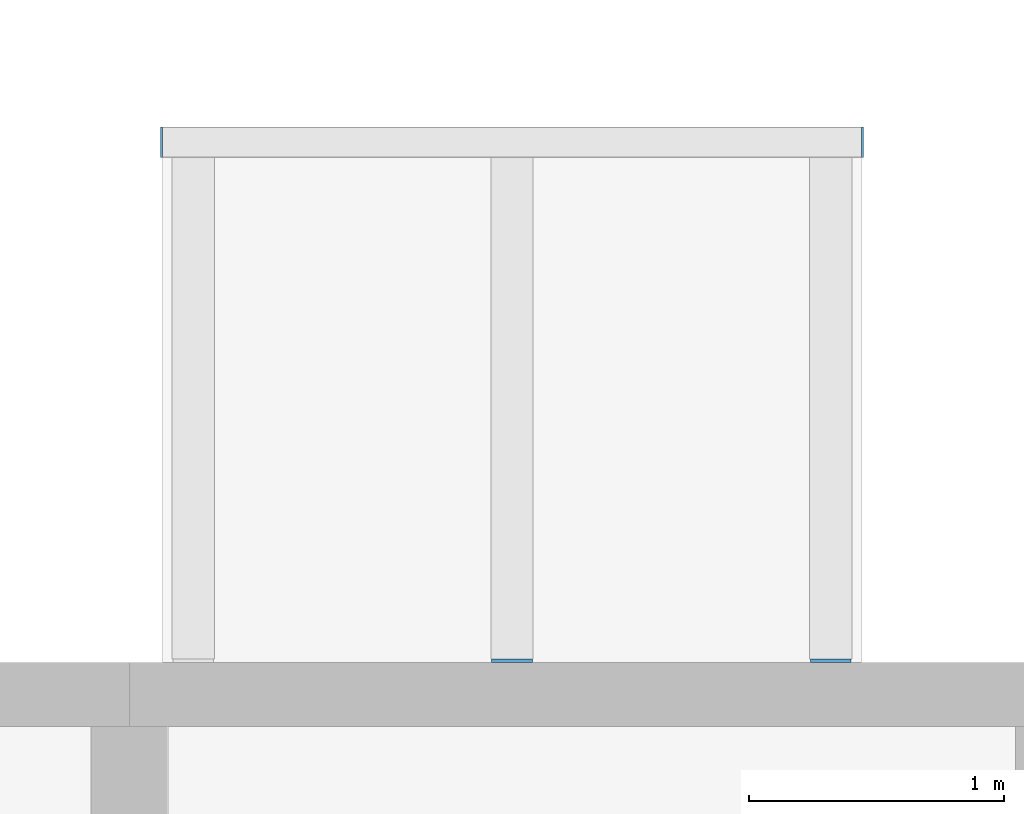
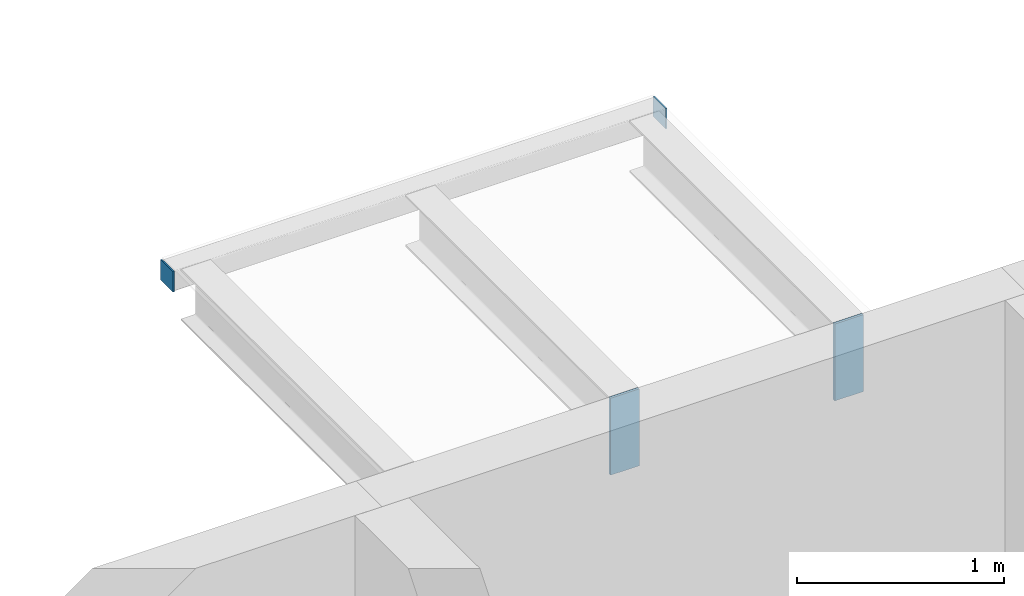
# One storey, part 97 of 122: 4 discrete accessories.
"""IFC4 building model written with IfcOpenShell, lengths in metres."""

from ifc_helpers import new_model, si_unit, direction, frame, origin, origin_2d, place, context, subcontext, project, spatial, rectangle, extrude, material, layer, layer_set, type_object, element, save


model = new_model("IFC4")

# Units and contexts
model_context = context("Model", 3, precision=1e-05, world=origin(), true_north=direction((0.0, 1.0)))
body_context = subcontext(model_context, "Body", "Model", "MODEL_VIEW")
ifc_project = project(units=[si_unit("LENGTHUNIT", "METRE"), si_unit("AREAUNIT", "SQUARE_METRE"), si_unit("VOLUMEUNIT", "CUBIC_METRE"), si_unit("PLANEANGLEUNIT", "RADIAN"), si_unit("MASSUNIT", "GRAM", prefix="KILO")], contexts=[model_context])

# Site, building, storey
site_placement = place(None, origin())
site = spatial("IfcSite", under=ifc_project, at=site_placement, CompositionType="ELEMENT")
building_placement = place(site_placement, origin())
building = spatial("IfcBuilding", under=site, at=building_placement, Name="Ridgestep Commons", CompositionType="ELEMENT")
storey_placement = place(building_placement, frame((0.0, 0.0, 3.0)))
storey = spatial("IfcBuildingStorey", under=building, at=storey_placement, Name="L01", CompositionType="ELEMENT", Elevation=3.0)

# Discrete accessories
ifc_material_1 = material(Name="Weathering steel S355J2W", Category="steel")
ifc_layer_1 = layer(ifc_material_1, 0.014892578125)
ifc_layer_set_1 = layer_set([ifc_layer_1], Name="Tray bracket plate 15")
discrete_accessory_type_1 = type_object("IfcDiscreteAccessoryType", Name="Tray bracket plate 15", PredefinedType="BRACKET", material=ifc_layer_set_1)
for number, where, z_axis, x_axis, name in (
    (1, (181.89990234375, 23.007568359375, 2.53662109375), (0.0, 0.0, 1.0), (1.0, 0.0, 0.0), "Tray bracket D3T1-02.2"),
    (2, (183.14990234375, 23.007568359375, 2.53662109375), (0.0, 0.0, 1.0), (1.0, 0.0, 0.0), "Tray bracket D3T1-02.3"),
):
    element("IfcDiscreteAccessory", number, at=place(storey_placement, frame(where, z_axis=z_axis, x_axis=x_axis)), inside=storey, type_object=discrete_accessory_type_1, Name=name, PredefinedType="BRACKET", context=body_context, shape_type="SweptSolid", body=[
        extrude(rectangle(XDim=0.159912109375, YDim=0.014892578125, at=origin_2d()), origin(), (0.0, 0.0, 1.0), 0.453369140625),
    ])
ifc_material_2 = material(Name="Weathering steel S355J2W", Category="steel")
ifc_layer_2 = layer(ifc_material_2, 0.008056640625)
ifc_layer_set_2 = layer_set([ifc_layer_2], Name="Tray edge member end plate 120 x 120 x 8")
discrete_accessory_type_2 = type_object("IfcDiscreteAccessoryType", Name="Tray edge member end plate 120 x 120 x 8", PredefinedType="BRACKET", material=ifc_layer_set_2)
for number, where, z_axis, x_axis, name in (
    (3, (180.52587890625, 25.0400390625, 2.869873046875), (0.0, 0.0, 1.0), (1.0, 0.0, 0.0), "Tray edge member end plate D3T1-02 west"),
    (4, (183.27392578125, 25.0400390625, 2.869873046875), (0.0, 0.0, 1.0), (1.0, 0.0, 0.0), "Tray edge member end plate D3T1-02 east"),
):
    element("IfcDiscreteAccessory", number, at=place(storey_placement, frame(where, z_axis=z_axis, x_axis=x_axis)), inside=storey, type_object=discrete_accessory_type_2, Name=name, PredefinedType="BRACKET", context=body_context, shape_type="SweptSolid", body=[
        extrude(rectangle(XDim=0.008056640625, YDim=0.1201171875, at=origin_2d()), origin(), (0.0, 0.0, 1.0), 0.1201171875),
    ])

save(model, "model.ifc")
